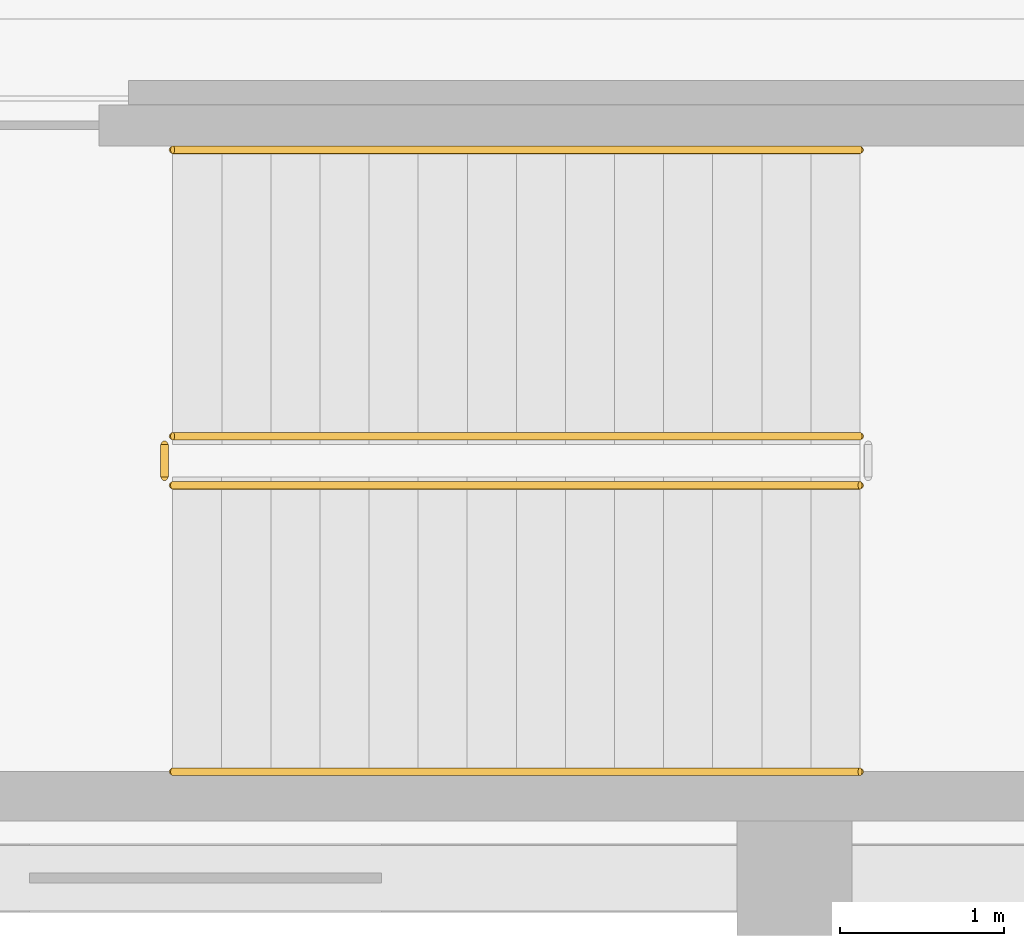
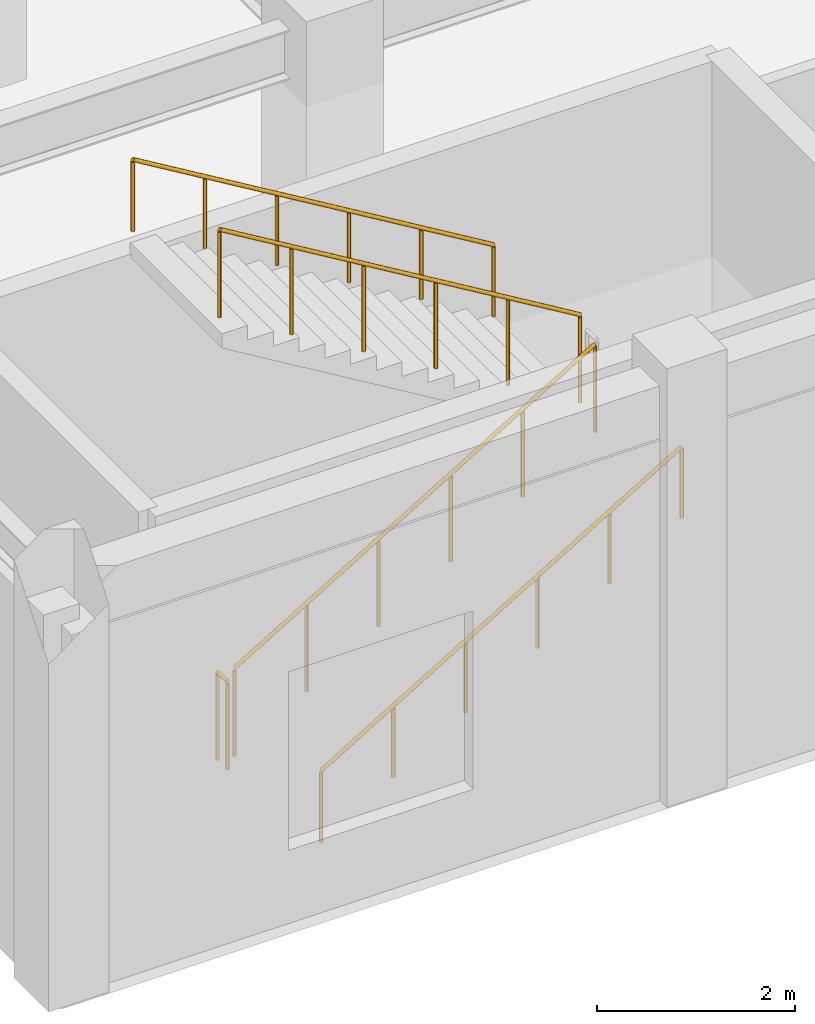
# One storey, part 91 of 102: 5 railings.
"""IFC4 building model written with IfcOpenShell, lengths in metres."""

from ifc_helpers import new_model, si_unit, direction, frame, origin, origin_2d, place, context, subcontext, project, spatial, circle, extrude, material, layer, layer_set, type_object, element, save


model = new_model("IFC4")

# Units and contexts
model_context = context("Model", 3, precision=1e-05, world=origin(), true_north=direction((0.0, 1.0)))
body_context = subcontext(model_context, "Body", "Model", "MODEL_VIEW")
ifc_project = project(units=[si_unit("LENGTHUNIT", "METRE"), si_unit("AREAUNIT", "SQUARE_METRE"), si_unit("VOLUMEUNIT", "CUBIC_METRE"), si_unit("PLANEANGLEUNIT", "RADIAN"), si_unit("MASSUNIT", "GRAM", prefix="KILO")], contexts=[model_context])

# Site, building, storey
site_placement = place(None, origin())
site = spatial("IfcSite", under=ifc_project, at=site_placement, CompositionType="ELEMENT")
building_placement = place(site_placement, origin())
building = spatial("IfcBuilding", under=site, at=building_placement, Name="Carrowvane Square Congress Hotel", CompositionType="ELEMENT")
storey_placement = place(building_placement, origin())
storey = spatial("IfcBuildingStorey", under=building, at=storey_placement, Name="L00", CompositionType="ELEMENT", Elevation=0.0)

# Railings
ifc_material_1 = material(Name="Stainless steel 316", Category="steel")
ifc_layer_1 = layer(ifc_material_1, 0.048095703125)
ifc_layer_set_1 = layer_set([ifc_layer_1], Name="Stainless steel 316")
railing_type_1 = type_object("IfcRailingType", Name="RLG-HR-900", PredefinedType="HANDRAIL", material=ifc_layer_set_1)
railing_1_placement = place(storey_placement, frame((137.39990234375, 6.050048828125, 0.179931640625)))
element("IfcRailing", 1, at=railing_1_placement, inside=storey, type_object=railing_type_1, Name="L00 ST10 stair handrail 1", PredefinedType="HANDRAIL", context=body_context, shape_type="SweptSolid", body=[
    extrude(circle(Radius=0.02392578125, at=origin_2d()), frame((0.0, 0.0, 0.8759765625), z_axis=(0.857501721439, 0.0, 0.514481095599), x_axis=(0.0, 1.0, 0.0)), (0.0, 0.0, 1.0), 4.898193359375),
    extrude(circle(Radius=0.02099609375, at=origin_2d()), origin(), (0.0, 0.0, 1.0), 0.851806640625),
    extrude(circle(Radius=0.02099609375, at=origin_2d()), frame((0.840087890625, 0.0, 0.50390625)), (0.0, 0.0, 1.0), 0.851806640625),
    extrude(circle(Radius=0.02099609375, at=origin_2d()), frame((1.68017578125, 0.0, 1.008056640625)), (0.0, 0.0, 1.0), 0.851806640625),
    extrude(circle(Radius=0.02099609375, at=origin_2d()), frame((2.52001953125, 0.0, 1.511962890625)), (0.0, 0.0, 1.0), 0.851806640625),
    extrude(circle(Radius=0.02099609375, at=origin_2d()), frame((3.360107421875, 0.0, 2.01611328125)), (0.0, 0.0, 1.0), 0.851806640625),
    extrude(circle(Radius=0.02099609375, at=origin_2d()), frame((4.2001953125, 0.0, 2.52001953125)), (0.0, 0.0, 1.0), 0.851806640625),
])
railing_2_placement = place(storey_placement, frame((141.60009765625, 9.85009765625, 2.8798828125)))
element("IfcRailing", 2, at=railing_2_placement, inside=storey, type_object=railing_type_1, Name="L00 ST10 stair handrail 2", PredefinedType="HANDRAIL", context=body_context, shape_type="SweptSolid", body=[
    extrude(circle(Radius=0.02392578125, at=origin_2d()), frame((0.0, 0.0, 0.8759765625), z_axis=(-0.857501721439, 0.0, 0.514481095599), x_axis=(0.0, -1.0, 0.0)), (0.0, 0.0, 1.0), 4.898193359375),
    extrude(circle(Radius=0.02099609375, at=origin_2d()), origin(), (0.0, 0.0, 1.0), 0.851806640625),
    extrude(circle(Radius=0.02099609375, at=origin_2d()), frame((-0.840087890625, 0.0, 0.50390625)), (0.0, 0.0, 1.0), 0.851806640625),
    extrude(circle(Radius=0.02099609375, at=origin_2d()), frame((-1.68017578125, 0.0, 1.008056640625)), (0.0, 0.0, 1.0), 0.851806640625),
    extrude(circle(Radius=0.02099609375, at=origin_2d()), frame((-2.52001953125, 0.0, 1.511962890625)), (0.0, 0.0, 1.0), 0.851806640625),
    extrude(circle(Radius=0.02099609375, at=origin_2d()), frame((-3.360107421875, 0.0, 2.01611328125)), (0.0, 0.0, 1.0), 0.851806640625),
    extrude(circle(Radius=0.02099609375, at=origin_2d()), frame((-4.2001953125, 0.0, 2.52001953125)), (0.0, 0.0, 1.0), 0.851806640625),
])
ifc_material_2 = material(Name="Galvanised steel", Category="steel")
ifc_layer_2 = layer(ifc_material_2, 0.048095703125)
ifc_layer_set_2 = layer_set([ifc_layer_2], Name="Galvanised steel")
railing_type_2 = type_object("IfcRailingType", Name="RLG-STG-1100", PredefinedType="GUARDRAIL", material=ifc_layer_set_2)
railing_3_placement = place(storey_placement, frame((137.39990234375, 7.800048828125, 0.179931640625)))
element("IfcRailing", 3, at=railing_3_placement, inside=storey, type_object=railing_type_2, Name="L00 ST10 stair guard 1", PredefinedType="GUARDRAIL", context=body_context, shape_type="SweptSolid", body=[
    extrude(circle(Radius=0.02392578125, at=origin_2d()), frame((0.0, 0.0, 1.076171875), z_axis=(0.857501721439, 0.0, 0.514481095599), x_axis=(0.0, 1.0, 0.0)), (0.0, 0.0, 1.0), 4.898193359375),
    extrude(circle(Radius=0.02099609375, at=origin_2d()), origin(), (0.0, 0.0, 1.0), 1.052001953125),
    extrude(circle(Radius=0.02099609375, at=origin_2d()), frame((0.840087890625, 0.0, 0.50390625)), (0.0, 0.0, 1.0), 1.052001953125),
    extrude(circle(Radius=0.02099609375, at=origin_2d()), frame((1.68017578125, 0.0, 1.008056640625)), (0.0, 0.0, 1.0), 1.052001953125),
    extrude(circle(Radius=0.02099609375, at=origin_2d()), frame((2.52001953125, 0.0, 1.511962890625)), (0.0, 0.0, 1.0), 1.052001953125),
    extrude(circle(Radius=0.02099609375, at=origin_2d()), frame((3.360107421875, 0.0, 2.01611328125)), (0.0, 0.0, 1.0), 1.052001953125),
    extrude(circle(Radius=0.02099609375, at=origin_2d()), frame((4.2001953125, 0.0, 2.52001953125)), (0.0, 0.0, 1.0), 1.052001953125),
])
railing_4_placement = place(storey_placement, frame((141.60009765625, 8.10009765625, 2.8798828125)))
element("IfcRailing", 4, at=railing_4_placement, inside=storey, type_object=railing_type_2, Name="L00 ST10 stair guard 3", PredefinedType="GUARDRAIL", context=body_context, shape_type="SweptSolid", body=[
    extrude(circle(Radius=0.02392578125, at=origin_2d()), frame((0.0, 0.0, 1.076171875), z_axis=(-0.857501721439, 0.0, 0.514481095599), x_axis=(0.0, -1.0, 0.0)), (0.0, 0.0, 1.0), 4.898193359375),
    extrude(circle(Radius=0.02099609375, at=origin_2d()), origin(), (0.0, 0.0, 1.0), 1.052001953125),
    extrude(circle(Radius=0.02099609375, at=origin_2d()), frame((-0.840087890625, 0.0, 0.50390625)), (0.0, 0.0, 1.0), 1.052001953125),
    extrude(circle(Radius=0.02099609375, at=origin_2d()), frame((-1.68017578125, 0.0, 1.008056640625)), (0.0, 0.0, 1.0), 1.052001953125),
    extrude(circle(Radius=0.02099609375, at=origin_2d()), frame((-2.52001953125, 0.0, 1.511962890625)), (0.0, 0.0, 1.0), 1.052001953125),
    extrude(circle(Radius=0.02099609375, at=origin_2d()), frame((-3.360107421875, 0.0, 2.01611328125)), (0.0, 0.0, 1.0), 1.052001953125),
    extrude(circle(Radius=0.02099609375, at=origin_2d()), frame((-4.2001953125, 0.0, 2.52001953125)), (0.0, 0.0, 1.0), 1.052001953125),
])
railing_5_placement = place(storey_placement, frame((137.35009765625, 7.85009765625, 0.0)))
element("IfcRailing", 5, at=railing_5_placement, inside=storey, type_object=railing_type_2, Name="L00 ST10 stair guard 4", PredefinedType="GUARDRAIL", context=body_context, shape_type="SweptSolid", body=[
    extrude(circle(Radius=0.02392578125, at=origin_2d()), frame((0.0, 0.0, 1.076171875), z_axis=(0.0, 1.0, 0.0), x_axis=(-1.0, 0.0, 0.0)), (0.0, 0.0, 1.0), 0.199951171875),
    extrude(circle(Radius=0.02099609375, at=origin_2d()), origin(), (0.0, 0.0, 1.0), 1.052001953125),
    extrude(circle(Radius=0.02099609375, at=origin_2d()), frame((0.0, 0.199951171875, 0.0)), (0.0, 0.0, 1.0), 1.052001953125),
])

save(model, "model.ifc")
